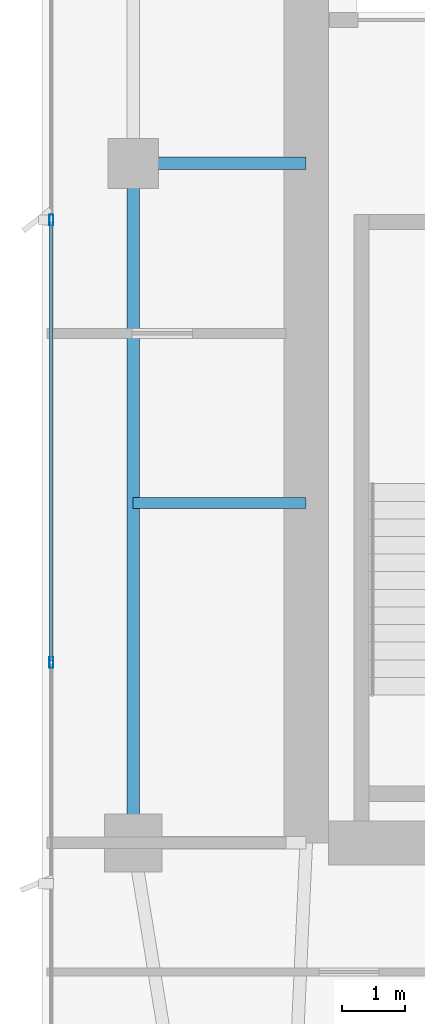
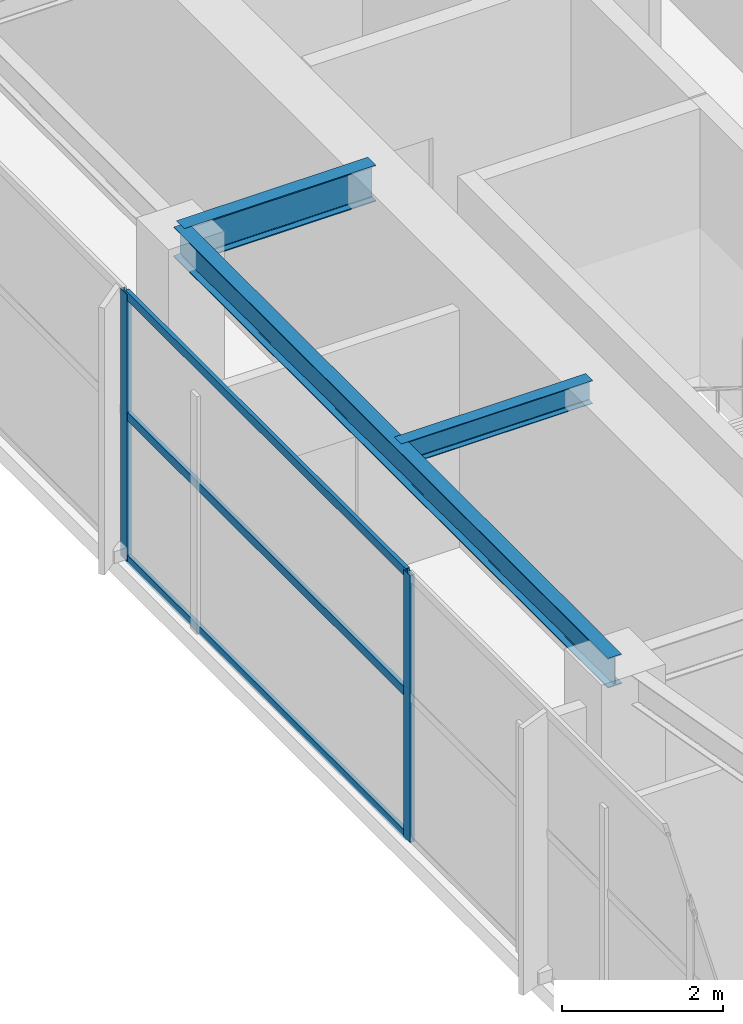
# One storey, part 9 of 29: 5 members, 3 beams, 1 element without a shape of its own.
"""IFC4 building model written with IfcOpenShell, lengths in metres."""

from ifc_helpers import new_model, si_unit, direction, frame, origin, origin_2d, place, context, subcontext, project, spatial, hollow_rectangle, i_section, extrude, material, layer, layer_set, material_profile, profile_set, type_object, element, aggregate, save


model = new_model("IFC4")

# Units and contexts
model_context = context("Model", 3, precision=1e-05, world=origin(), true_north=direction((0.0, 1.0)))
body_context = subcontext(model_context, "Body", "Model", "MODEL_VIEW")
ifc_project = project(units=[si_unit("LENGTHUNIT", "METRE"), si_unit("AREAUNIT", "SQUARE_METRE"), si_unit("VOLUMEUNIT", "CUBIC_METRE"), si_unit("PLANEANGLEUNIT", "RADIAN"), si_unit("MASSUNIT", "GRAM", prefix="KILO")], contexts=[model_context])

# Site, building, storey
site_placement = place(None, origin())
site = spatial("IfcSite", under=ifc_project, at=site_placement, CompositionType="ELEMENT")
building_placement = place(site_placement, origin())
building = spatial("IfcBuilding", under=site, at=building_placement, Name="Calvorn Quay Hotel", CompositionType="ELEMENT")
storey_placement = place(building_placement, frame((0.0, 0.0, 259.0)))
storey = spatial("IfcBuildingStorey", under=building, at=storey_placement, Name="L64", CompositionType="ELEMENT", Elevation=259.0)

# Beams
ifc_material_1 = material(Name="Steel Q355B", Category="steel")
ifc_material_profile_1 = material_profile(ifc_material_1, i_section(OverallWidth=0.199951171875, OverallDepth=0.550048828125, WebThickness=0.010009765625, FlangeThickness=0.01611328125, FilletRadius=0.01806640625, at=origin_2d()), Name="HN550x200x10x16")
ifc_profile_set_1 = profile_set([ifc_material_profile_1], Name="Steel Q355B")
beam_type_1 = type_object("IfcBeamType", Name="BM-GIRD-UPP", PredefinedType="BEAM", material=ifc_profile_set_1)
beam_1_placement = place(storey_placement, frame((1.449951171875, 27.60009765625, 3.77490234375), z_axis=(1.0, 0.0, 0.0), x_axis=(0.0, 1.0, 0.0)))
element("IfcBeam", 1, at=beam_1_placement, inside=storey, type_object=beam_type_1, Name="Beam BG-L64-W2", PredefinedType="BEAM", context=body_context, shape_type="SweptSolid", body=[
    extrude(i_section(OverallWidth=0.199951171875, OverallDepth=0.550048828125, WebThickness=0.010009765625, FlangeThickness=0.01611328125, FilletRadius=0.01806640625, at=origin_2d()), origin(), (0.0, 0.0, 1.0), 2.75),
])
ifc_material_2 = material(Name="Steel Q355B", Category="steel")
ifc_material_profile_2 = material_profile(ifc_material_2, i_section(OverallWidth=0.175048828125, OverallDepth=0.35009765625, WebThickness=0.007080078125, FlangeThickness=0.010986328125, FilletRadius=0.013916015625, at=origin_2d()), Name="HN350x175x7x11")
ifc_profile_set_2 = profile_set([ifc_material_profile_2], Name="Steel Q355B")
beam_type_2 = type_object("IfcBeamType", Name="BM-JOIST-SEC", PredefinedType="JOIST", material=ifc_profile_set_2)
beam_2_placement = place(storey_placement, frame((1.449951171875, 22.199951171875, 3.875), z_axis=(1.0, 0.0, 0.0), x_axis=(0.0, 1.0, 0.0)))
element("IfcBeam", 2, at=beam_2_placement, inside=storey, type_object=beam_type_2, Name="Beam BJ-L64-W3", PredefinedType="JOIST", context=body_context, shape_type="SweptSolid", body=[
    extrude(i_section(OverallWidth=0.175048828125, OverallDepth=0.35009765625, WebThickness=0.007080078125, FlangeThickness=0.010986328125, FilletRadius=0.013916015625, at=origin_2d()), origin(), (0.0, 0.0, 1.0), 2.75),
])
ifc_material_3 = material(Name="Steel Q355B", Category="steel")
ifc_material_profile_3 = material_profile(ifc_material_3, i_section(OverallWidth=0.199951171875, OverallDepth=0.449951171875, WebThickness=0.009033203125, FlangeThickness=0.013916015625, FilletRadius=0.01611328125, at=origin_2d()), Name="HN450x200x9x14")
ifc_profile_set_3 = profile_set([ifc_material_profile_3], Name="Steel Q355B")
beam_type_3 = type_object("IfcBeamType", Name="BM-SPANDREL-Z3", PredefinedType="SPANDREL", material=ifc_profile_set_3)
beam_3_placement = place(storey_placement, frame((1.449951171875, 16.800048828125, 3.824951171875), z_axis=(0.0, 1.0, 0.0), x_axis=(-1.0, 0.0, 0.0)))
element("IfcBeam", 3, at=beam_3_placement, inside=storey, type_object=beam_type_3, Name="Beam BSP-L64-W2", PredefinedType="SPANDREL", context=body_context, shape_type="SweptSolid", body=[
    extrude(i_section(OverallWidth=0.199951171875, OverallDepth=0.449951171875, WebThickness=0.009033203125, FlangeThickness=0.013916015625, FilletRadius=0.01611328125, at=origin_2d()), origin(), (0.0, 0.0, 1.0), 10.800048828125),
])

# Curtain wall, members
ifc_material_4 = material(Name="Champagne Bronze Anodised Aluminium and Low-E Glass", Category="aluminium")
ifc_layer = layer(ifc_material_4, 0.219970703125)
ifc_layer_set = layer_set([ifc_layer], Name="CW-SYS-Z4")
curtain_wall_type = type_object("IfcCurtainWallType", Name="CW-SYS-Z4", PredefinedType="NOTDEFINED", material=ifc_layer_set)
curtain_wall_placement = place(storey_placement, origin())
curtain_wall = element("IfcCurtainWall", 4, at=curtain_wall_placement, inside=storey, type_object=curtain_wall_type, Name="Tower West Curtain Wall (L64)", PredefinedType="NOTDEFINED")
ifc_material_5 = material(Name="Champagne Bronze Anodised Aluminium 6063-T6", Category="aluminium")
ifc_material_profile_4 = material_profile(ifc_material_5, hollow_rectangle(XDim=0.06494140625, YDim=0.169921875, WallThickness=0.00341796875, at=origin_2d()), Name="ALU-M170x65x3.5")
ifc_profile_set_4 = profile_set([ifc_material_profile_4], Name="Champagne Bronze Anodised Aluminium 6063-T6")
member_type_1 = type_object("IfcMemberType", Name="CW-SYS-Z4-MUL", PredefinedType="MULLION", material=ifc_profile_set_4)
member_1_placement = place(storey_placement, frame((0.14990234375, 19.666748046875, 0.0), z_axis=(0.0, 0.0, 1.0), x_axis=(-1.0, 0.0, 0.0)))
member_1 = element("IfcMember", 5, at=member_1_placement, type_object=member_type_1, Name="CW-L64-W mullion 3", PredefinedType="MULLION", context=body_context, shape_type="SweptSolid", body=[
    extrude(hollow_rectangle(XDim=0.06494140625, YDim=0.169921875, WallThickness=0.00341796875, at=origin_2d()), origin(), (0.0, 0.0, 1.0), 4.050048828125),
])
member_2_placement = place(storey_placement, frame((0.14990234375, 26.699951171875, 0.0), z_axis=(0.0, 0.0, 1.0), x_axis=(-1.0, 0.0, 0.0)))
member_2 = element("IfcMember", 6, at=member_2_placement, type_object=member_type_1, Name="CW-L64-W mullion 4", PredefinedType="MULLION", context=body_context, shape_type="SweptSolid", body=[
    extrude(hollow_rectangle(XDim=0.06494140625, YDim=0.169921875, WallThickness=0.00341796875, at=origin_2d()), origin(), (0.0, 0.0, 1.0), 4.050048828125),
])
ifc_material_6 = material(Name="Champagne Bronze Anodised Aluminium 6063-T6", Category="aluminium")
ifc_material_profile_5 = material_profile(ifc_material_6, hollow_rectangle(XDim=0.054931640625, YDim=0.1298828125, WallThickness=0.003173828125, at=origin_2d()), Name="ALU-T130x55x3.2")
ifc_profile_set_5 = profile_set([ifc_material_profile_5], Name="Champagne Bronze Anodised Aluminium 6063-T6")
member_type_2 = type_object("IfcMemberType", Name="CW-SYS-Z4-TRN", PredefinedType="USERDEFINED", material=ifc_profile_set_5)
member_3_placement = place(storey_placement, frame((0.14990234375, 19.69677734375, 0.030029296875), z_axis=(0.0, 1.0, 0.0), x_axis=(-1.0, 0.0, 0.0)))
member_3 = element("IfcMember", 7, at=member_3_placement, type_object=member_type_2, Name="CW-L64-W transom 3.1", ObjectType="TRANSOM", PredefinedType="USERDEFINED", context=body_context, shape_type="SweptSolid", body=[
    extrude(hollow_rectangle(XDim=0.054931640625, YDim=0.1298828125, WallThickness=0.003173828125, at=origin_2d()), origin(), (0.0, 0.0, 1.0), 6.97314453125),
])
member_4_placement = place(storey_placement, frame((0.14990234375, 19.69677734375, 2.199951171875), z_axis=(0.0, 1.0, 0.0), x_axis=(-1.0, 0.0, 0.0)))
member_4 = element("IfcMember", 8, at=member_4_placement, type_object=member_type_2, Name="CW-L64-W transom 3.2", ObjectType="TRANSOM", PredefinedType="USERDEFINED", context=body_context, shape_type="SweptSolid", body=[
    extrude(hollow_rectangle(XDim=0.054931640625, YDim=0.1298828125, WallThickness=0.003173828125, at=origin_2d()), origin(), (0.0, 0.0, 1.0), 6.97314453125),
])
member_5_placement = place(storey_placement, frame((0.14990234375, 19.69677734375, 4.02001953125), z_axis=(0.0, 1.0, 0.0), x_axis=(-1.0, 0.0, 0.0)))
member_5 = element("IfcMember", 9, at=member_5_placement, type_object=member_type_2, Name="CW-L64-W transom 3.3", ObjectType="TRANSOM", PredefinedType="USERDEFINED", context=body_context, shape_type="SweptSolid", body=[
    extrude(hollow_rectangle(XDim=0.054931640625, YDim=0.1298828125, WallThickness=0.003173828125, at=origin_2d()), origin(), (0.0, 0.0, 1.0), 6.97314453125),
])
aggregate(curtain_wall, [member_1, member_2, member_3, member_4, member_5])

save(model, "model.ifc")
